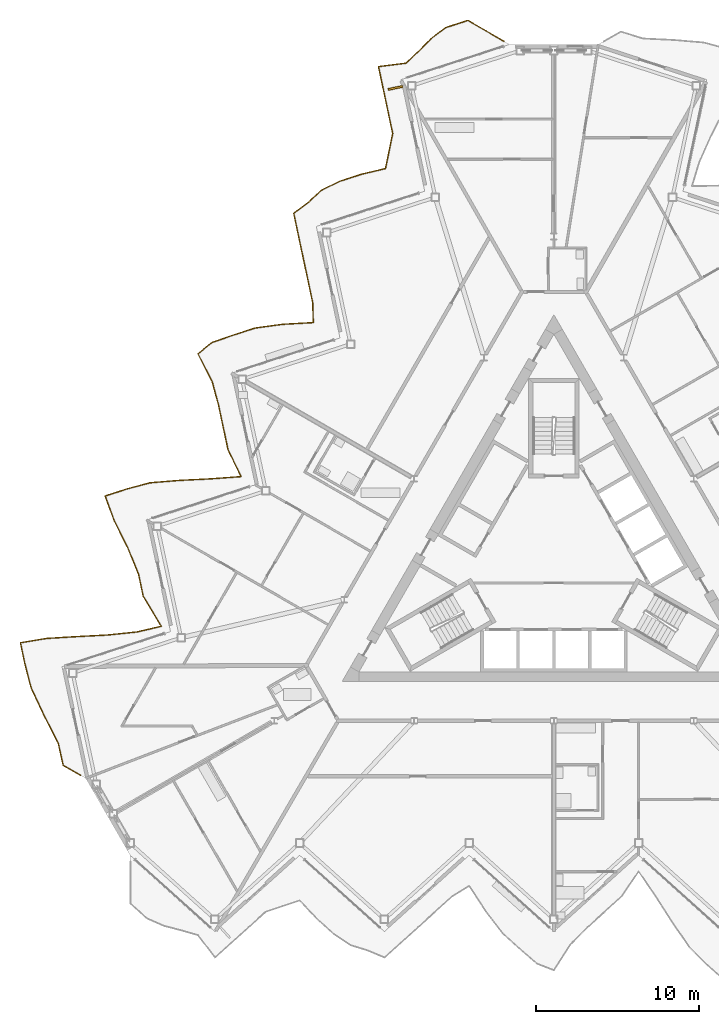
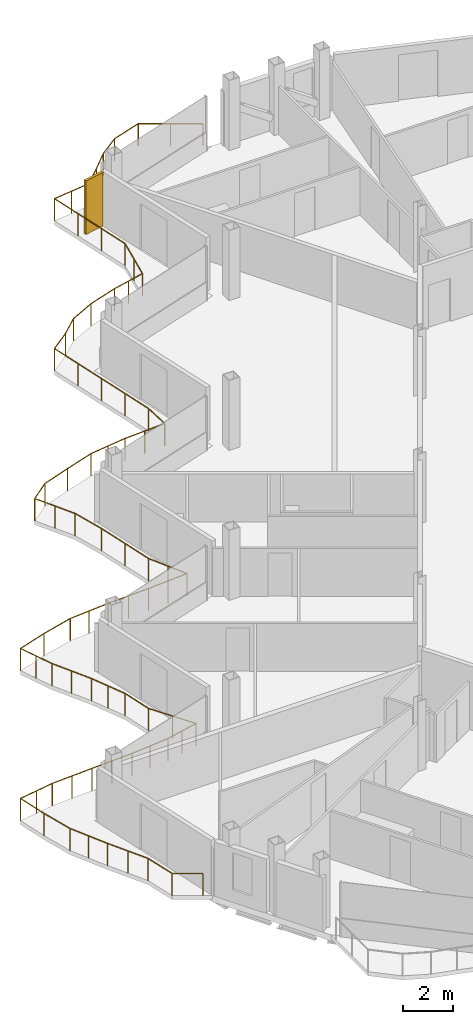
# One storey, part 23 of 26: 1 railing, 1 shading device.
"""IFC4 building model written with IfcOpenShell, lengths in metres."""

from ifc_helpers import new_model, si_unit, direction, frame, origin, origin_2d, place, context, subcontext, project, spatial, rectangle, circle, extrude, material, layer, layer_set, type_object, element, save


model = new_model("IFC4")

# Units and contexts
model_context = context("Model", 3, precision=1e-05, world=origin(), true_north=direction((0.0, 1.0)))
body_context = subcontext(model_context, "Body", "Model", "MODEL_VIEW")
ifc_project = project(units=[si_unit("LENGTHUNIT", "METRE"), si_unit("AREAUNIT", "SQUARE_METRE"), si_unit("VOLUMEUNIT", "CUBIC_METRE"), si_unit("PLANEANGLEUNIT", "RADIAN"), si_unit("MASSUNIT", "GRAM", prefix="KILO")], contexts=[model_context])

# Site, building, storey
site_placement = place(None, origin())
site = spatial("IfcSite", under=ifc_project, at=site_placement, CompositionType="ELEMENT")
building_placement = place(site_placement, origin())
building = spatial("IfcBuilding", under=site, at=building_placement, Name="Cormorant Prow Tower", CompositionType="ELEMENT")
storey_placement = place(building_placement, frame((0.0, 0.0, 364.39990234375)))
storey = spatial("IfcBuildingStorey", under=building, at=storey_placement, Name="L81", CompositionType="ELEMENT", Elevation=364.39990234375)

# Railing
ifc_material_1 = material(Name="Aluminium 6063-T6", Category="aluminium")
railing_type = type_object("IfcRailingType", Name="Balcony guard 1100", PredefinedType="GUARDRAIL", material=ifc_material_1)
railing_placement = place(storey_placement, frame((-3.0537109375, 31.785400390625, 0.0)))
element("IfcRailing", 1, at=railing_placement, inside=storey, type_object=railing_type, Name="Balcony guard WNW", PredefinedType="GUARDRAIL", context=body_context, shape_type="SweptSolid", body=[
    extrude(circle(Radius=0.02392578125, at=origin_2d()), frame((0.0, 0.0, 1.076171875), z_axis=(-0.866054294558, 0.499949956374, 0.0), x_axis=(-0.499949956374, -0.866054294558, 0.0)), (0.0, 0.0, 1.0), 2.570068359375),
    extrude(circle(Radius=0.02392578125, at=origin_2d()), frame((-2.225830078125, 1.284912109375, 1.076171875), z_axis=(-0.951080208938, -0.308944066403, 0.0), x_axis=(0.308944066403, -0.951080208938, 0.0)), (0.0, 0.0, 1.0), 1.3994140625),
    extrude(circle(Radius=0.02392578125, at=origin_2d()), frame((-3.556884765625, 0.8525390625, 1.076171875), z_axis=(-0.804801624168, -0.59354388695, 0.0), x_axis=(0.59354388695, -0.804801624168, 0.0)), (0.0, 0.0, 1.0), 1.134765625),
    extrude(circle(Radius=0.02392578125, at=origin_2d()), frame((-4.47021484375, 0.178955078125, 1.076171875), z_axis=(-0.702320726379, -0.711860658626, 0.0), x_axis=(0.711860658626, -0.702320726379, 0.0)), (0.0, 0.0, 1.0), 1.074951171875),
    extrude(circle(Radius=0.02392578125, at=origin_2d()), frame((-5.22509765625, -0.586181640625, 1.076171875), z_axis=(-0.720399511694, -0.693559329511, 0.0), x_axis=(0.693559329511, -0.720399511694, 0.0)), (0.0, 0.0, 1.0), 1.08251953125),
    extrude(circle(Radius=0.02392578125, at=origin_2d()), frame((-6.0048828125, -1.3369140625, 1.076171875), z_axis=(-0.99213308719, -0.125187608427, 0.0), x_axis=(0.125187608427, -0.99213308719, 0.0)), (0.0, 0.0, 1.0), 1.719970703125),
    extrude(circle(Radius=0.02392578125, at=origin_2d()), frame((-7.71142578125, -1.55224609375, 1.076171875), z_axis=(0.207944297815, -0.978140669335, 0.0), x_axis=(0.978140669335, 0.207944297815, 0.0)), (0.0, 0.0, 1.0), 1.3994140625),
    extrude(circle(Radius=0.02392578125, at=origin_2d()), frame((-7.42041015625, -2.921142578125, 1.076171875), z_axis=(0.20777738218, -0.978176139279, 0.0), x_axis=(0.978176139279, 0.20777738218, 0.0)), (0.0, 0.0, 1.0), 1.3994140625),
    extrude(circle(Radius=0.02392578125, at=origin_2d()), frame((-7.129638671875, -4.2900390625, 1.076171875), z_axis=(0.207944297815, -0.978140669335, 0.0), x_axis=(0.978140669335, 0.207944297815, 0.0)), (0.0, 0.0, 1.0), 1.3994140625),
    extrude(circle(Radius=0.02392578125, at=origin_2d()), frame((-6.838623046875, -5.658935546875, 1.076171875), z_axis=(-0.200182501189, -0.979758626508, 0.0), x_axis=(0.979758626508, -0.200182501189, 0.0)), (0.0, 0.0, 1.0), 1.096435546875),
    extrude(circle(Radius=0.02392578125, at=origin_2d()), frame((-7.05810546875, -6.733154296875, 1.076171875), z_axis=(-0.202841463281, -0.979211591421, 0.0), x_axis=(0.979211591421, -0.202841463281, 0.0)), (0.0, 0.0, 1.0), 1.09521484375),
    extrude(circle(Radius=0.02392578125, at=origin_2d()), frame((-7.2802734375, -7.8056640625, 1.076171875), z_axis=(-0.97323960179, -0.229792683756, 0.0), x_axis=(0.229792683756, -0.97323960179, 0.0)), (0.0, 0.0, 1.0), 1.51708984375),
    extrude(circle(Radius=0.02392578125, at=origin_2d()), frame((-8.7568359375, -8.154296875, 1.076171875), z_axis=(-0.951063554534, -0.308995332064, 0.0), x_axis=(0.308995332064, -0.951063554534, 0.0)), (0.0, 0.0, 1.0), 1.399169921875),
    extrude(circle(Radius=0.02392578125, at=origin_2d()), frame((-10.087646484375, -8.586669921875, 1.076171875), z_axis=(-0.89859250698, -0.438784122776, 0.0), x_axis=(0.438784122776, -0.89859250698, 0.0)), (0.0, 0.0, 1.0), 1.254150390625),
    extrude(circle(Radius=0.02392578125, at=origin_2d()), frame((-11.214599609375, -9.136962890625, 1.076171875), z_axis=(-0.733400296021, -0.679797032795, 0.0), x_axis=(0.679797032795, -0.733400296021, 0.0)), (0.0, 0.0, 1.0), 1.088623046875),
    extrude(circle(Radius=0.02392578125, at=origin_2d()), frame((-12.012939453125, -9.876953125, 1.076171875), z_axis=(-0.796454037439, -0.604699070817, 0.0), x_axis=(0.604699070817, -0.796454037439, 0.0)), (0.0, 0.0, 1.0), 1.1279296875),
    extrude(circle(Radius=0.02392578125, at=origin_2d()), frame((-12.911376953125, -10.55908203125, 1.076171875), z_axis=(0.20777738218, -0.978176139279, 0.0), x_axis=(0.978176139279, 0.20777738218, 0.0)), (0.0, 0.0, 1.0), 1.3994140625),
    extrude(circle(Radius=0.02392578125, at=origin_2d()), frame((-12.62060546875, -11.927978515625, 1.076171875), z_axis=(0.207944297815, -0.978140669335, 0.0), x_axis=(0.978140669335, 0.207944297815, 0.0)), (0.0, 0.0, 1.0), 1.3994140625),
    extrude(circle(Radius=0.02392578125, at=origin_2d()), frame((-12.32958984375, -13.296875, 1.076171875), z_axis=(0.207979786632, -0.978133124044, 0.0), x_axis=(0.978133124044, 0.207979786632, 0.0)), (0.0, 0.0, 1.0), 1.399169921875),
    extrude(circle(Radius=0.02392578125, at=origin_2d()), frame((-12.03857421875, -14.66552734375, 1.076171875), z_axis=(0.207944297815, -0.978140669335, 0.0), x_axis=(0.978140669335, 0.207944297815, 0.0)), (0.0, 0.0, 1.0), 1.3994140625),
    extrude(circle(Radius=0.02392578125, at=origin_2d()), frame((-11.74755859375, -16.034423828125, 1.076171875), z_axis=(0.029164247881, -0.999574632854, 0.0), x_axis=(0.999574632854, 0.029164247881, 0.0)), (0.0, 0.0, 1.0), 1.22216796875),
    extrude(circle(Radius=0.02392578125, at=origin_2d()), frame((-11.7119140625, -17.256103515625, 1.076171875), z_axis=(-0.998450849309, -0.055640825965, 0.0), x_axis=(0.055640825965, -0.998450849309, 0.0)), (0.0, 0.0, 1.0), 1.89990234375),
    extrude(circle(Radius=0.02392578125, at=origin_2d()), frame((-13.60888671875, -17.36181640625, 1.076171875), z_axis=(-0.990629196812, -0.136578894499, 0.0), x_axis=(0.136578894499, -0.990629196812, 0.0)), (0.0, 0.0, 1.0), 1.694580078125),
    extrude(circle(Radius=0.02392578125, at=origin_2d()), frame((-15.28759765625, -17.59326171875, 1.076171875), z_axis=(-0.951028941009, -0.309101849499, 0.0), x_axis=(0.309101849499, -0.951028941009, 0.0)), (0.0, 0.0, 1.0), 1.399658203125),
    extrude(circle(Radius=0.02392578125, at=origin_2d()), frame((-16.61865234375, -18.02587890625, 1.076171875), z_axis=(-0.945112539636, -0.326744988365, 0.0), x_axis=(0.326744988365, -0.945112539636, 0.0)), (0.0, 0.0, 1.0), 1.376220703125),
    extrude(circle(Radius=0.02392578125, at=origin_2d()), frame((-17.91943359375, -18.4755859375, 1.076171875), z_axis=(-0.780569996604, -0.625068380581, 0.0), x_axis=(0.625068380581, -0.780569996604, 0.0)), (0.0, 0.0, 1.0), 1.1162109375),
    extrude(circle(Radius=0.02392578125, at=origin_2d()), frame((-18.790771484375, -19.17333984375, 1.076171875), z_axis=(0.455957097579, -0.89000175571, 0.0), x_axis=(0.89000175571, 0.455957097579, 0.0)), (0.0, 0.0, 1.0), 1.916259765625),
    extrude(circle(Radius=0.02392578125, at=origin_2d()), frame((-17.9169921875, -20.87890625, 1.076171875), z_axis=(0.262445676489, -0.964946768942, 0.0), x_axis=(0.964946768942, 0.262445676489, 0.0)), (0.0, 0.0, 1.0), 1.476318359375),
    extrude(circle(Radius=0.02392578125, at=origin_2d()), frame((-17.529541015625, -22.303466796875, 1.076171875), z_axis=(0.207944297815, -0.978140669335, 0.0), x_axis=(0.978140669335, 0.207944297815, 0.0)), (0.0, 0.0, 1.0), 1.3994140625),
    extrude(circle(Radius=0.02392578125, at=origin_2d()), frame((-17.238525390625, -23.67236328125, 1.076171875), z_axis=(0.207944297815, -0.978140669335, 0.0), x_axis=(0.978140669335, 0.207944297815, 0.0)), (0.0, 0.0, 1.0), 1.3994140625),
    extrude(circle(Radius=0.02392578125, at=origin_2d()), frame((-16.947509765625, -25.041259765625, 1.076171875), z_axis=(0.434050139504, -0.900888714768, 0.0), x_axis=(0.900888714768, 0.434050139504, 0.0)), (0.0, 0.0, 1.0), 1.8466796875),
    extrude(circle(Radius=0.02392578125, at=origin_2d()), frame((-16.14599609375, -26.704833984375, 1.076171875), z_axis=(-0.997226846188, -0.074421886851, 0.0), x_axis=(0.074421886851, -0.997226846188, 0.0)), (0.0, 0.0, 1.0), 1.846923828125),
    extrude(circle(Radius=0.02392578125, at=origin_2d()), frame((-17.98779296875, -26.84228515625, 1.076171875), z_axis=(-0.998814010326, -0.048688528186, 0.0), x_axis=(0.048688528186, -0.998814010326, 0.0)), (0.0, 0.0, 1.0), 1.92041015625),
    extrude(circle(Radius=0.02392578125, at=origin_2d()), frame((-19.906005859375, -26.935791015625, 1.076171875), z_axis=(-0.996663580722, -0.081619279965, 0.0), x_axis=(0.081619279965, -0.996663580722, 0.0)), (0.0, 0.0, 1.0), 1.82763671875),
    extrude(circle(Radius=0.02392578125, at=origin_2d()), frame((-21.7275390625, -27.0849609375, 1.076171875), z_axis=(-0.966124737958, -0.25807555232, 0.0), x_axis=(0.25807555232, -0.966124737958, 0.0)), (0.0, 0.0, 1.0), 1.471923828125),
    extrude(circle(Radius=0.02392578125, at=origin_2d()), frame((-23.149658203125, -27.46484375, 1.076171875), z_axis=(-0.951063554534, -0.308995332064, 0.0), x_axis=(0.308995332064, -0.951063554534, 0.0)), (0.0, 0.0, 1.0), 1.399169921875),
    extrude(circle(Radius=0.02392578125, at=origin_2d()), frame((-24.48046875, -27.897216796875, 1.076171875), z_axis=(0.34360420379, -0.939114556983, 0.0), x_axis=(0.939114556983, 0.34360420379, 0.0)), (0.0, 0.0, 1.0), 1.621337890625),
    extrude(circle(Radius=0.02392578125, at=origin_2d()), frame((-23.92333984375, -29.419921875, 1.076171875), z_axis=(0.446124838976, -0.894970741448, 0.0), x_axis=(0.894970741448, 0.446124838976, 0.0)), (0.0, 0.0, 1.0), 1.88427734375),
    extrude(circle(Radius=0.02392578125, at=origin_2d()), frame((-23.082763671875, -31.106201171875, 1.076171875), z_axis=(0.379080263311, -0.925363795471, 0.0), x_axis=(0.925363795471, 0.379080263311, 0.0)), (0.0, 0.0, 1.0), 1.69970703125),
    extrude(circle(Radius=0.02392578125, at=origin_2d()), frame((-22.4384765625, -32.678955078125, 1.076171875), z_axis=(0.20777738218, -0.978176139279, 0.0), x_axis=(0.978176139279, 0.20777738218, 0.0)), (0.0, 0.0, 1.0), 1.3994140625),
    extrude(circle(Radius=0.02392578125, at=origin_2d()), frame((-22.147705078125, -34.0478515625, 1.076171875), z_axis=(0.517060283894, -0.855948983772, 0.0), x_axis=(0.855948983772, 0.517060283894, 0.0)), (0.0, 0.0, 1.0), 2.154052734375),
    extrude(circle(Radius=0.02392578125, at=origin_2d()), frame((-21.033935546875, -35.8916015625, 1.076171875), z_axis=(-0.974329089655, -0.225128463444, 0.0), x_axis=(0.225128463444, -0.974329089655, 0.0)), (0.0, 0.0, 1.0), 1.524658203125),
    extrude(circle(Radius=0.02392578125, at=origin_2d()), frame((-22.51953125, -36.23486328125, 1.076171875), z_axis=(-0.994481221063, -0.104914731817, 0.0), x_axis=(0.104914731817, -0.994481221063, 0.0)), (0.0, 0.0, 1.0), 1.7685546875),
    extrude(circle(Radius=0.02392578125, at=origin_2d()), frame((-24.2783203125, -36.42041015625, 1.076171875), z_axis=(-0.99861712254, -0.052572260454, 0.0), x_axis=(0.052572260454, -0.99861712254, 0.0)), (0.0, 0.0, 1.0), 1.90869140625),
    extrude(circle(Radius=0.02392578125, at=origin_2d()), frame((-26.184326171875, -36.520751953125, 1.076171875), z_axis=(-0.998205000127, -0.059889712979, 0.0), x_axis=(0.059889712979, -0.998205000127, 0.0)), (0.0, 0.0, 1.0), 1.887451171875),
    extrude(circle(Radius=0.02392578125, at=origin_2d()), frame((-28.068359375, -36.6337890625, 1.076171875), z_axis=(-0.986240118532, -0.165319171898, 0.0), x_axis=(0.165319171898, -0.986240118532, 0.0)), (0.0, 0.0, 1.0), 1.634765625),
    extrude(circle(Radius=0.02392578125, at=origin_2d()), frame((-29.6806640625, -36.904052734375, 1.076171875), z_axis=(0.207944297815, -0.978140669335, 0.0), x_axis=(0.978140669335, 0.207944297815, 0.0)), (0.0, 0.0, 1.0), 1.3994140625),
    extrude(circle(Radius=0.02392578125, at=origin_2d()), frame((-29.3896484375, -38.27294921875, 1.076171875), z_axis=(0.253128724865, -0.967432606773, 0.0), x_axis=(0.967432606773, 0.253128724865, 0.0)), (0.0, 0.0, 1.0), 1.462158203125),
    extrude(circle(Radius=0.02392578125, at=origin_2d()), frame((-29.01953125, -39.6875, 1.076171875), z_axis=(0.425868001193, -0.904785303572, 0.0), x_axis=(0.904785303572, 0.425868001193, 0.0)), (0.0, 0.0, 1.0), 1.822509765625),
    extrude(circle(Radius=0.02392578125, at=origin_2d()), frame((-28.243408203125, -41.33642578125, 1.076171875), z_axis=(0.457103792103, -0.889413359043, 0.0), x_axis=(0.889413359043, 0.457103792103, 0.0)), (0.0, 0.0, 1.0), 1.920166015625),
    extrude(circle(Radius=0.02392578125, at=origin_2d()), frame((-27.36572265625, -43.044189453125, 1.076171875), z_axis=(0.218685934883, -0.975795297121, 0.0), x_axis=(0.975795297121, 0.218685934883, 0.0)), (0.0, 0.0, 1.0), 1.413330078125),
    extrude(circle(Radius=0.02392578125, at=origin_2d()), frame((-27.056640625, -44.42333984375, 1.076171875), z_axis=(0.866005645448, -0.500034220881, 0.0), x_axis=(0.500034220881, 0.866005645448, 0.0)), (0.0, 0.0, 1.0), 1.22021484375),
    extrude(circle(Radius=0.02099609375, at=origin_2d()), origin(), (0.0, 0.0, 1.0), 1.052001953125),
    extrude(circle(Radius=0.02099609375, at=origin_2d()), frame((-1.11279296875, 0.642578125, 0.0)), (0.0, 0.0, 1.0), 1.052001953125),
    extrude(circle(Radius=0.02099609375, at=origin_2d()), frame((-2.225830078125, 1.284912109375, 0.0)), (0.0, 0.0, 1.0), 1.052001953125),
    extrude(circle(Radius=0.02099609375, at=origin_2d()), frame((-3.556884765625, 0.8525390625, 0.0)), (0.0, 0.0, 1.0), 1.052001953125),
    extrude(circle(Radius=0.02099609375, at=origin_2d()), frame((-4.47021484375, 0.178955078125, 0.0)), (0.0, 0.0, 1.0), 1.052001953125),
    extrude(circle(Radius=0.02099609375, at=origin_2d()), frame((-5.22509765625, -0.586181640625, 0.0)), (0.0, 0.0, 1.0), 1.052001953125),
    extrude(circle(Radius=0.02099609375, at=origin_2d()), frame((-6.0048828125, -1.3369140625, 0.0)), (0.0, 0.0, 1.0), 1.052001953125),
    extrude(circle(Radius=0.02099609375, at=origin_2d()), frame((-6.858154296875, -1.444580078125, 0.0)), (0.0, 0.0, 1.0), 1.052001953125),
    extrude(circle(Radius=0.02099609375, at=origin_2d()), frame((-7.71142578125, -1.55224609375, 0.0)), (0.0, 0.0, 1.0), 1.052001953125),
    extrude(circle(Radius=0.02099609375, at=origin_2d()), frame((-7.42041015625, -2.921142578125, 0.0)), (0.0, 0.0, 1.0), 1.052001953125),
    extrude(circle(Radius=0.02099609375, at=origin_2d()), frame((-7.129638671875, -4.2900390625, 0.0)), (0.0, 0.0, 1.0), 1.052001953125),
    extrude(circle(Radius=0.02099609375, at=origin_2d()), frame((-6.838623046875, -5.658935546875, 0.0)), (0.0, 0.0, 1.0), 1.052001953125),
    extrude(circle(Radius=0.02099609375, at=origin_2d()), frame((-7.05810546875, -6.733154296875, 0.0)), (0.0, 0.0, 1.0), 1.052001953125),
    extrude(circle(Radius=0.02099609375, at=origin_2d()), frame((-7.2802734375, -7.8056640625, 0.0)), (0.0, 0.0, 1.0), 1.052001953125),
    extrude(circle(Radius=0.02099609375, at=origin_2d()), frame((-8.0185546875, -7.97998046875, 0.0)), (0.0, 0.0, 1.0), 1.052001953125),
    extrude(circle(Radius=0.02099609375, at=origin_2d()), frame((-8.7568359375, -8.154296875, 0.0)), (0.0, 0.0, 1.0), 1.052001953125),
    extrude(circle(Radius=0.02099609375, at=origin_2d()), frame((-10.087646484375, -8.586669921875, 0.0)), (0.0, 0.0, 1.0), 1.052001953125),
    extrude(circle(Radius=0.02099609375, at=origin_2d()), frame((-11.214599609375, -9.136962890625, 0.0)), (0.0, 0.0, 1.0), 1.052001953125),
    extrude(circle(Radius=0.02099609375, at=origin_2d()), frame((-12.012939453125, -9.876953125, 0.0)), (0.0, 0.0, 1.0), 1.052001953125),
    extrude(circle(Radius=0.02099609375, at=origin_2d()), frame((-12.911376953125, -10.55908203125, 0.0)), (0.0, 0.0, 1.0), 1.052001953125),
    extrude(circle(Radius=0.02099609375, at=origin_2d()), frame((-12.62060546875, -11.927978515625, 0.0)), (0.0, 0.0, 1.0), 1.052001953125),
    extrude(circle(Radius=0.02099609375, at=origin_2d()), frame((-12.32958984375, -13.296875, 0.0)), (0.0, 0.0, 1.0), 1.052001953125),
    extrude(circle(Radius=0.02099609375, at=origin_2d()), frame((-12.03857421875, -14.66552734375, 0.0)), (0.0, 0.0, 1.0), 1.052001953125),
    extrude(circle(Radius=0.02099609375, at=origin_2d()), frame((-11.74755859375, -16.034423828125, 0.0)), (0.0, 0.0, 1.0), 1.052001953125),
    extrude(circle(Radius=0.02099609375, at=origin_2d()), frame((-11.7119140625, -17.256103515625, 0.0)), (0.0, 0.0, 1.0), 1.052001953125),
    extrude(circle(Radius=0.02099609375, at=origin_2d()), frame((-12.660400390625, -17.30908203125, 0.0)), (0.0, 0.0, 1.0), 1.052001953125),
    extrude(circle(Radius=0.02099609375, at=origin_2d()), frame((-13.60888671875, -17.36181640625, 0.0)), (0.0, 0.0, 1.0), 1.052001953125),
    extrude(circle(Radius=0.02099609375, at=origin_2d()), frame((-14.4482421875, -17.4775390625, 0.0)), (0.0, 0.0, 1.0), 1.052001953125),
    extrude(circle(Radius=0.02099609375, at=origin_2d()), frame((-15.28759765625, -17.59326171875, 0.0)), (0.0, 0.0, 1.0), 1.052001953125),
    extrude(circle(Radius=0.02099609375, at=origin_2d()), frame((-16.61865234375, -18.02587890625, 0.0)), (0.0, 0.0, 1.0), 1.052001953125),
    extrude(circle(Radius=0.02099609375, at=origin_2d()), frame((-17.91943359375, -18.4755859375, 0.0)), (0.0, 0.0, 1.0), 1.052001953125),
    extrude(circle(Radius=0.02099609375, at=origin_2d()), frame((-18.790771484375, -19.17333984375, 0.0)), (0.0, 0.0, 1.0), 1.052001953125),
    extrude(circle(Radius=0.02099609375, at=origin_2d()), frame((-18.35400390625, -20.026123046875, 0.0)), (0.0, 0.0, 1.0), 1.052001953125),
    extrude(circle(Radius=0.02099609375, at=origin_2d()), frame((-17.9169921875, -20.87890625, 0.0)), (0.0, 0.0, 1.0), 1.052001953125),
    extrude(circle(Radius=0.02099609375, at=origin_2d()), frame((-17.529541015625, -22.303466796875, 0.0)), (0.0, 0.0, 1.0), 1.052001953125),
    extrude(circle(Radius=0.02099609375, at=origin_2d()), frame((-17.238525390625, -23.67236328125, 0.0)), (0.0, 0.0, 1.0), 1.052001953125),
    extrude(circle(Radius=0.02099609375, at=origin_2d()), frame((-16.947509765625, -25.041259765625, 0.0)), (0.0, 0.0, 1.0), 1.052001953125),
    extrude(circle(Radius=0.02099609375, at=origin_2d()), frame((-16.546875, -25.873046875, 0.0)), (0.0, 0.0, 1.0), 1.052001953125),
    extrude(circle(Radius=0.02099609375, at=origin_2d()), frame((-16.14599609375, -26.704833984375, 0.0)), (0.0, 0.0, 1.0), 1.052001953125),
    extrude(circle(Radius=0.02099609375, at=origin_2d()), frame((-17.06689453125, -26.7734375, 0.0)), (0.0, 0.0, 1.0), 1.052001953125),
    extrude(circle(Radius=0.02099609375, at=origin_2d()), frame((-17.98779296875, -26.84228515625, 0.0)), (0.0, 0.0, 1.0), 1.052001953125),
    extrude(circle(Radius=0.02099609375, at=origin_2d()), frame((-18.94677734375, -26.88916015625, 0.0)), (0.0, 0.0, 1.0), 1.052001953125),
    extrude(circle(Radius=0.02099609375, at=origin_2d()), frame((-19.906005859375, -26.935791015625, 0.0)), (0.0, 0.0, 1.0), 1.052001953125),
    extrude(circle(Radius=0.02099609375, at=origin_2d()), frame((-20.81689453125, -27.01025390625, 0.0)), (0.0, 0.0, 1.0), 1.052001953125),
    extrude(circle(Radius=0.02099609375, at=origin_2d()), frame((-21.7275390625, -27.0849609375, 0.0)), (0.0, 0.0, 1.0), 1.052001953125),
    extrude(circle(Radius=0.02099609375, at=origin_2d()), frame((-23.149658203125, -27.46484375, 0.0)), (0.0, 0.0, 1.0), 1.052001953125),
    extrude(circle(Radius=0.02099609375, at=origin_2d()), frame((-24.48046875, -27.897216796875, 0.0)), (0.0, 0.0, 1.0), 1.052001953125),
    extrude(circle(Radius=0.02099609375, at=origin_2d()), frame((-24.201904296875, -28.65869140625, 0.0)), (0.0, 0.0, 1.0), 1.052001953125),
    extrude(circle(Radius=0.02099609375, at=origin_2d()), frame((-23.92333984375, -29.419921875, 0.0)), (0.0, 0.0, 1.0), 1.052001953125),
    extrude(circle(Radius=0.02099609375, at=origin_2d()), frame((-23.5029296875, -30.26318359375, 0.0)), (0.0, 0.0, 1.0), 1.052001953125),
    extrude(circle(Radius=0.02099609375, at=origin_2d()), frame((-23.082763671875, -31.106201171875, 0.0)), (0.0, 0.0, 1.0), 1.052001953125),
    extrude(circle(Radius=0.02099609375, at=origin_2d()), frame((-22.7607421875, -31.892578125, 0.0)), (0.0, 0.0, 1.0), 1.052001953125),
    extrude(circle(Radius=0.02099609375, at=origin_2d()), frame((-22.4384765625, -32.678955078125, 0.0)), (0.0, 0.0, 1.0), 1.052001953125),
    extrude(circle(Radius=0.02099609375, at=origin_2d()), frame((-22.147705078125, -34.0478515625, 0.0)), (0.0, 0.0, 1.0), 1.052001953125),
    extrude(circle(Radius=0.02099609375, at=origin_2d()), frame((-21.5908203125, -34.9697265625, 0.0)), (0.0, 0.0, 1.0), 1.052001953125),
    extrude(circle(Radius=0.02099609375, at=origin_2d()), frame((-21.033935546875, -35.8916015625, 0.0)), (0.0, 0.0, 1.0), 1.052001953125),
    extrude(circle(Radius=0.02099609375, at=origin_2d()), frame((-21.77685546875, -36.063232421875, 0.0)), (0.0, 0.0, 1.0), 1.052001953125),
    extrude(circle(Radius=0.02099609375, at=origin_2d()), frame((-22.51953125, -36.23486328125, 0.0)), (0.0, 0.0, 1.0), 1.052001953125),
    extrude(circle(Radius=0.02099609375, at=origin_2d()), frame((-23.39892578125, -36.32763671875, 0.0)), (0.0, 0.0, 1.0), 1.052001953125),
    extrude(circle(Radius=0.02099609375, at=origin_2d()), frame((-24.2783203125, -36.42041015625, 0.0)), (0.0, 0.0, 1.0), 1.052001953125),
    extrude(circle(Radius=0.02099609375, at=origin_2d()), frame((-25.2314453125, -36.470703125, 0.0)), (0.0, 0.0, 1.0), 1.052001953125),
    extrude(circle(Radius=0.02099609375, at=origin_2d()), frame((-26.184326171875, -36.520751953125, 0.0)), (0.0, 0.0, 1.0), 1.052001953125),
    extrude(circle(Radius=0.02099609375, at=origin_2d()), frame((-27.12646484375, -36.5771484375, 0.0)), (0.0, 0.0, 1.0), 1.052001953125),
    extrude(circle(Radius=0.02099609375, at=origin_2d()), frame((-28.068359375, -36.6337890625, 0.0)), (0.0, 0.0, 1.0), 1.052001953125),
    extrude(circle(Radius=0.02099609375, at=origin_2d()), frame((-28.87451171875, -36.76904296875, 0.0)), (0.0, 0.0, 1.0), 1.052001953125),
    extrude(circle(Radius=0.02099609375, at=origin_2d()), frame((-29.6806640625, -36.904052734375, 0.0)), (0.0, 0.0, 1.0), 1.052001953125),
    extrude(circle(Radius=0.02099609375, at=origin_2d()), frame((-29.3896484375, -38.27294921875, 0.0)), (0.0, 0.0, 1.0), 1.052001953125),
    extrude(circle(Radius=0.02099609375, at=origin_2d()), frame((-29.01953125, -39.6875, 0.0)), (0.0, 0.0, 1.0), 1.052001953125),
    extrude(circle(Radius=0.02099609375, at=origin_2d()), frame((-28.63134765625, -40.511962890625, 0.0)), (0.0, 0.0, 1.0), 1.052001953125),
    extrude(circle(Radius=0.02099609375, at=origin_2d()), frame((-28.243408203125, -41.33642578125, 0.0)), (0.0, 0.0, 1.0), 1.052001953125),
    extrude(circle(Radius=0.02099609375, at=origin_2d()), frame((-27.8046875, -42.1904296875, 0.0)), (0.0, 0.0, 1.0), 1.052001953125),
    extrude(circle(Radius=0.02099609375, at=origin_2d()), frame((-27.36572265625, -43.044189453125, 0.0)), (0.0, 0.0, 1.0), 1.052001953125),
    extrude(circle(Radius=0.02099609375, at=origin_2d()), frame((-27.056640625, -44.42333984375, 0.0)), (0.0, 0.0, 1.0), 1.052001953125),
    extrude(circle(Radius=0.02099609375, at=origin_2d()), frame((-26.0, -45.033447265625, 0.0)), (0.0, 0.0, 1.0), 1.052001953125),
])

# Shading device
ifc_material_2 = material(Name="Terracotta", Category="masonry")
ifc_layer = layer(ifc_material_2, 0.1201171875)
ifc_layer_set = layer_set([ifc_layer], Name="Terracotta")
shading_device_type = type_object("IfcShadingDeviceType", Name="Terracotta baguette fin 120x900x2600", PredefinedType="USERDEFINED", material=ifc_layer_set)
shading_device_placement = place(storey_placement, frame((-9.731201171875, 28.9228515625, 0.0), z_axis=(0.0, 0.0, 1.0), x_axis=(0.207911756835, -0.978147586701, 0.0)))
element("IfcShadingDevice", 2, at=shading_device_placement, inside=storey, type_object=shading_device_type, Name="Baguette fin WNW01", ObjectType="BAGUETTE", PredefinedType="USERDEFINED", context=body_context, shape_type="SweptSolid", body=[
    extrude(rectangle(XDim=0.1201171875, YDim=0.89990234375, at=origin_2d()), origin(), (0.0, 0.0, 1.0), 2.60009765625),
])

save(model, "model.ifc")
